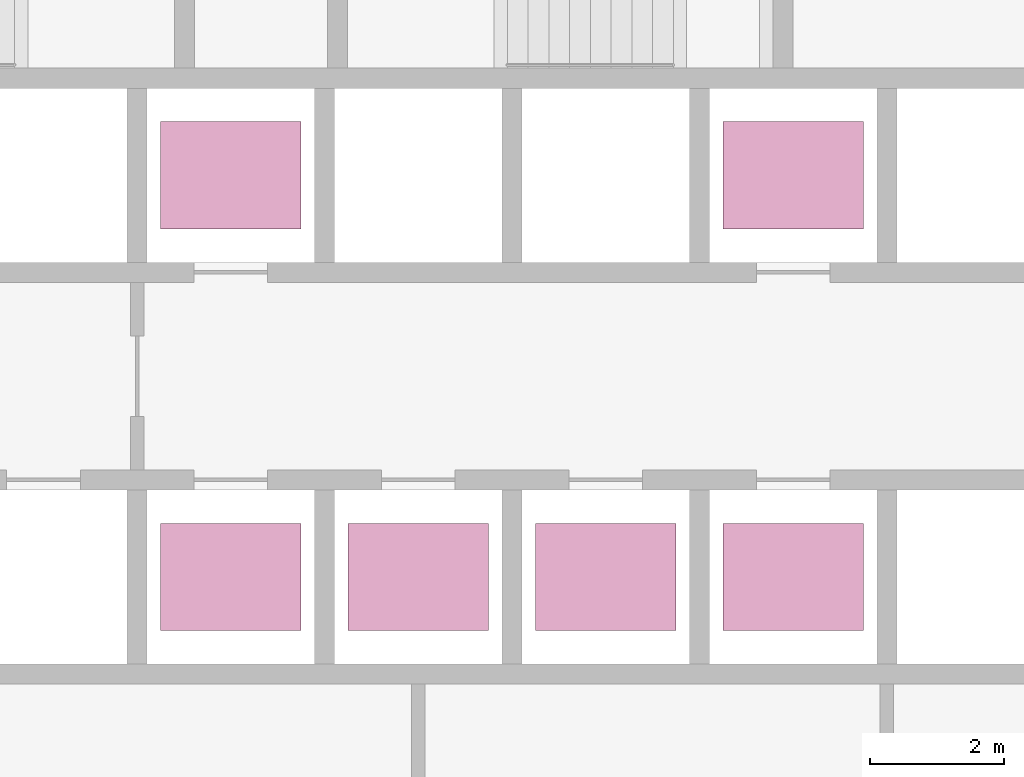
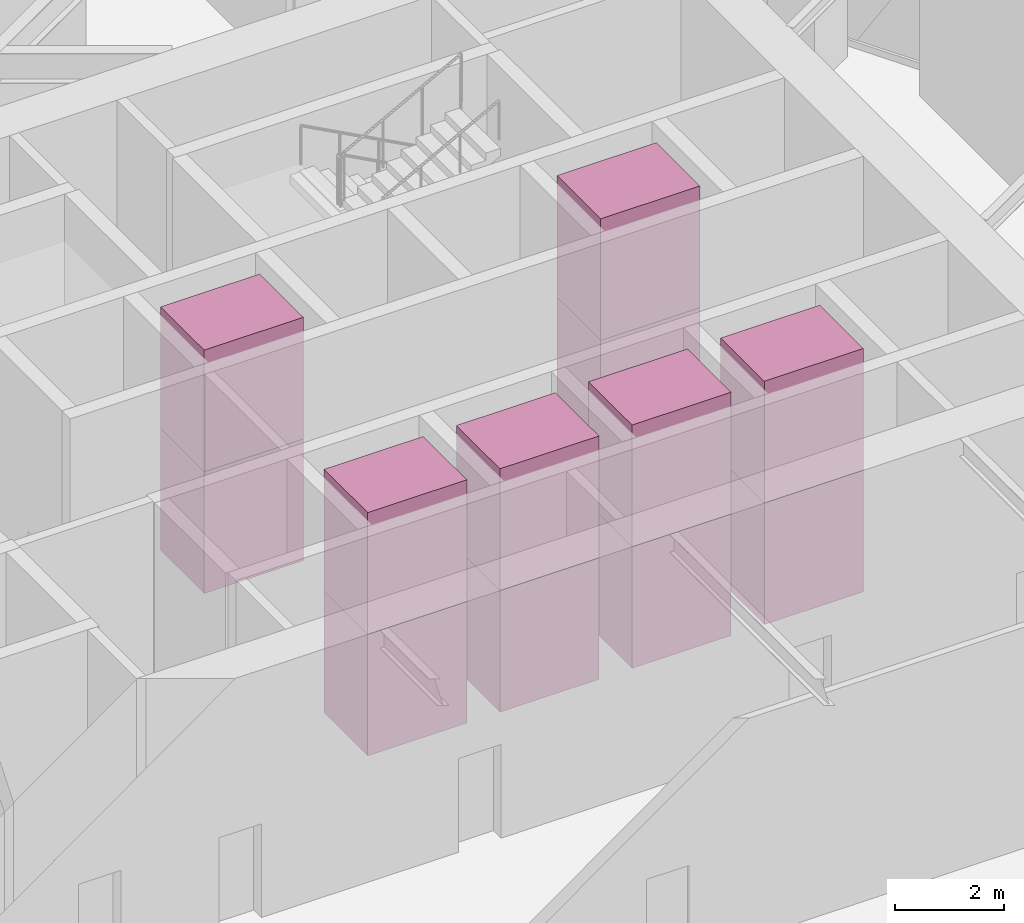
# One storey, part 21 of 21: 12 transport elements.
"""IFC4 building model written with IfcOpenShell, lengths in metres."""

from ifc_helpers import new_model, si_unit, direction, frame, origin, origin_2d, place, context, subcontext, project, spatial, rectangle, extrude, material, type_object, element, save


model = new_model("IFC4")

# Units and contexts
model_context = context("Model", 3, precision=1e-05, world=origin(), true_north=direction((0.0, 1.0)))
body_context = subcontext(model_context, "Body", "Model", "MODEL_VIEW")
ifc_project = project(units=[si_unit("LENGTHUNIT", "METRE"), si_unit("AREAUNIT", "SQUARE_METRE"), si_unit("VOLUMEUNIT", "CUBIC_METRE"), si_unit("PLANEANGLEUNIT", "RADIAN"), si_unit("MASSUNIT", "GRAM", prefix="KILO")], contexts=[model_context])

# Site, building, storey
site_placement = place(None, origin())
site = spatial("IfcSite", under=ifc_project, at=site_placement, CompositionType="ELEMENT")
building_placement = place(site_placement, origin())
building = spatial("IfcBuilding", under=site, at=building_placement, Name="Firuza Gate Tower and Library", CompositionType="ELEMENT")
storey_placement = place(building_placement, frame((0.0, 0.0, 140.800048828125)))
storey = spatial("IfcBuildingStorey", under=building, at=storey_placement, Name="L32", CompositionType="ELEMENT", Elevation=140.800048828125)

# Transport elements
ifc_material = material(Name="Stainless steel and glass", Category="steel")
transport_element_type = type_object("IfcTransportElementType", Name="Mid-rise lift car 2100x1600", PredefinedType="ELEVATOR", material=ifc_material)
for number, where, z_axis, x_axis, name in (
    (1, (74.64990234375, 70.300048828125, 0.0), (0.0, 0.0, 1.0), (1.0, 0.0, 0.0), "Mid-rise lift MR1"),
    (2, (74.64990234375, 70.300048828125, 2.724853515625), (0.0, 0.0, 1.0), (1.0, 0.0, 0.0), "Mid-rise lift MR1"),
    (3, (77.449951171875, 70.300048828125, 0.0), (0.0, 0.0, 1.0), (1.0, 0.0, 0.0), "Mid-rise lift MR2"),
    (4, (77.449951171875, 70.300048828125, 2.724853515625), (0.0, 0.0, 1.0), (1.0, 0.0, 0.0), "Mid-rise lift MR2"),
    (5, (80.25, 70.300048828125, 0.0), (0.0, 0.0, 1.0), (1.0, 0.0, 0.0), "Mid-rise lift MR3"),
    (6, (80.25, 70.300048828125, 2.724853515625), (0.0, 0.0, 1.0), (1.0, 0.0, 0.0), "Mid-rise lift MR3"),
    (7, (74.64990234375, 76.300048828125, 0.0), (0.0, 0.0, 1.0), (1.0, 0.0, 0.0), "Mid-rise lift MR4"),
    (8, (74.64990234375, 76.300048828125, 2.724853515625), (0.0, 0.0, 1.0), (1.0, 0.0, 0.0), "Mid-rise lift MR4"),
    (9, (83.050048828125, 70.300048828125, 0.0), (0.0, 0.0, 1.0), (1.0, 0.0, 0.0), "Mid-rise lift MR5"),
    (10, (83.050048828125, 70.300048828125, 2.724853515625), (0.0, 0.0, 1.0), (1.0, 0.0, 0.0), "Mid-rise lift MR5"),
    (11, (83.050048828125, 76.300048828125, 0.0), (0.0, 0.0, 1.0), (1.0, 0.0, 0.0), "Mid-rise lift MR6"),
    (12, (83.050048828125, 76.300048828125, 2.724853515625), (0.0, 0.0, 1.0), (1.0, 0.0, 0.0), "Mid-rise lift MR6"),
):
    element("IfcTransportElement", number, at=place(storey_placement, frame(where, z_axis=z_axis, x_axis=x_axis)), inside=storey, type_object=transport_element_type, Name=name, PredefinedType="ELEVATOR", context=body_context, shape_type="SweptSolid", body=[
        extrude(rectangle(XDim=2.10009765625, YDim=1.60009765625, at=origin_2d()), origin(), (0.0, 0.0, 1.0), 2.72509765625),
    ])

save(model, "model.ifc")
